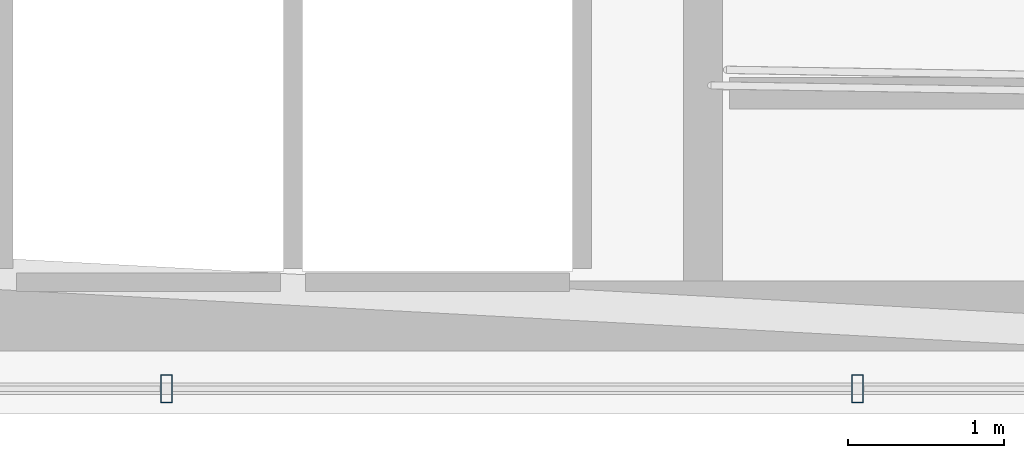
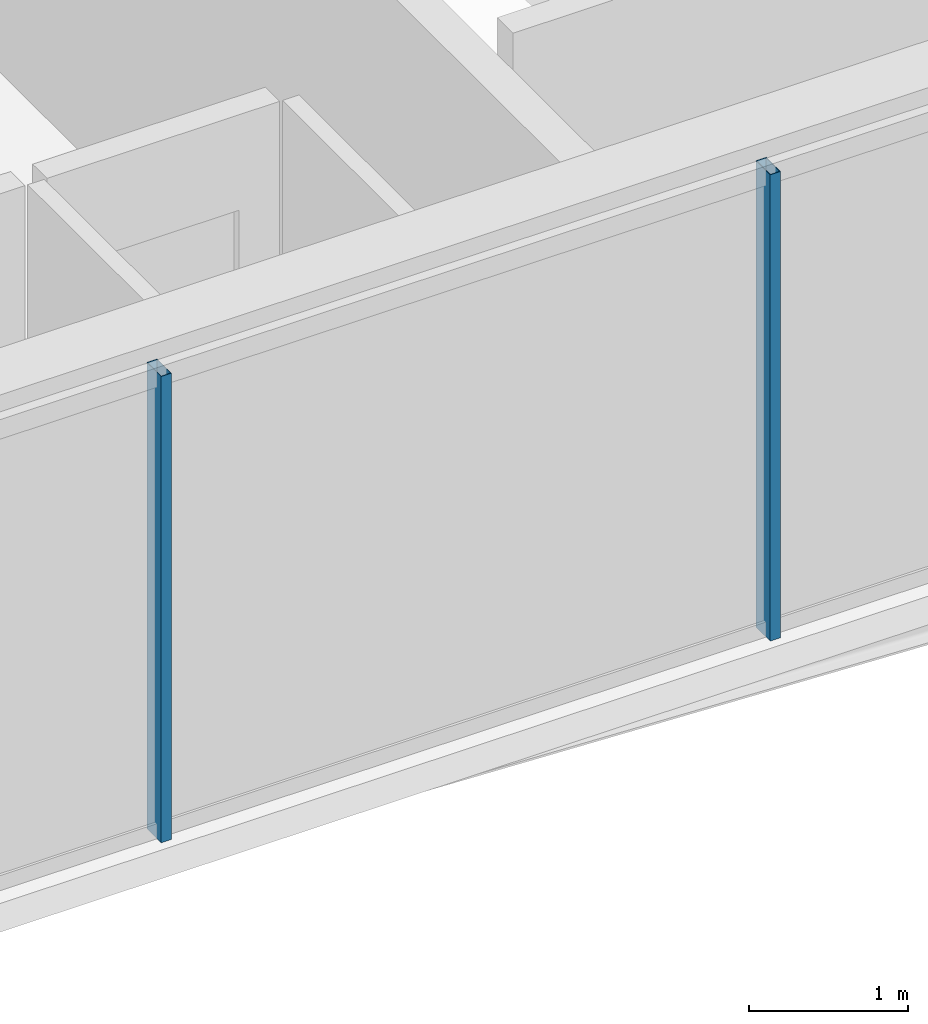
# One storey, part 6 of 32: 2 members, 1 element without a shape of its own.
"""IFC4 building model written with IfcOpenShell, lengths in metres."""

from ifc_helpers import new_model, si_unit, direction, frame, origin, origin_2d, place, context, subcontext, project, spatial, hollow_rectangle, extrude, material, layer, layer_set, material_profile, profile_set, type_object, element, aggregate, save


model = new_model("IFC4")

# Units and contexts
model_context = context("Model", 3, precision=1e-05, world=origin(), true_north=direction((0.0, 1.0)))
body_context = subcontext(model_context, "Body", "Model", "MODEL_VIEW")
ifc_project = project(units=[si_unit("LENGTHUNIT", "METRE"), si_unit("AREAUNIT", "SQUARE_METRE"), si_unit("VOLUMEUNIT", "CUBIC_METRE"), si_unit("PLANEANGLEUNIT", "RADIAN"), si_unit("MASSUNIT", "GRAM", prefix="KILO")], contexts=[model_context])

# Site, building, storey
site_placement = place(None, origin())
site = spatial("IfcSite", under=ifc_project, at=site_placement, CompositionType="ELEMENT")
building_placement = place(site_placement, origin())
building = spatial("IfcBuilding", under=site, at=building_placement, Name="Ndaravel Arena Tower", CompositionType="ELEMENT")
storey_placement = place(building_placement, frame((0.0, 0.0, 55.0)))
storey = spatial("IfcBuildingStorey", under=building, at=storey_placement, Name="L11", CompositionType="ELEMENT", Elevation=55.0)

# Curtain wall, members
ifc_material_1 = material(Name="Aluminium", Category="aluminium")
ifc_layer = layer(ifc_material_1, 0.179931640625)
ifc_layer_set = layer_set([ifc_layer], Name="Aluminium")
curtain_wall_type = type_object("IfcCurtainWallType", Name="CW-SYS-03", PredefinedType="NOTDEFINED", material=ifc_layer_set)
curtain_wall_placement = place(storey_placement, origin())
curtain_wall = element("IfcCurtainWall", 1, at=curtain_wall_placement, inside=storey, type_object=curtain_wall_type, Name="L11 Faceted Crystal Curtain Wall CW-L11-E01", PredefinedType="NOTDEFINED")
ifc_material_2 = material(Name="Aluminium", Category="aluminium")
ifc_material_profile = material_profile(ifc_material_2, hollow_rectangle(XDim=0.074951171875, YDim=0.179931640625, WallThickness=0.00390625, at=origin_2d()), Name="CW MULLION 75x180x4")
ifc_profile_set = profile_set([ifc_material_profile], Name="Aluminium")
member_type = type_object("IfcMemberType", Name="MEM-CW-MUL180", PredefinedType="MULLION", material=ifc_profile_set)
member_1_placement = place(storey_placement, frame((35.36572265625, 5.159912109375, 0.0), z_axis=(0.0, 0.0, 1.0), x_axis=(1.0, 0.0, 0.0)))
member_1 = element("IfcMember", 2, at=member_1_placement, type_object=member_type, Name="CW-L11-E01 Mullion 02", PredefinedType="MULLION", context=body_context, shape_type="SweptSolid", body=[
    extrude(hollow_rectangle(XDim=0.074951171875, YDim=0.179931640625, WallThickness=0.00390625, at=origin_2d()), origin(), (0.0, 0.0, 1.0), 3.580078125),
])
member_2_placement = place(storey_placement, frame((39.78857421875, 5.159912109375, 0.0), z_axis=(0.0, 0.0, 1.0), x_axis=(1.0, 0.0, 0.0)))
member_2 = element("IfcMember", 3, at=member_2_placement, type_object=member_type, Name="CW-L11-E01 Mullion 03", PredefinedType="MULLION", context=body_context, shape_type="SweptSolid", body=[
    extrude(hollow_rectangle(XDim=0.074951171875, YDim=0.179931640625, WallThickness=0.00390625, at=origin_2d()), origin(), (0.0, 0.0, 1.0), 3.580078125),
])
aggregate(curtain_wall, [member_1, member_2])

save(model, "model.ifc")
